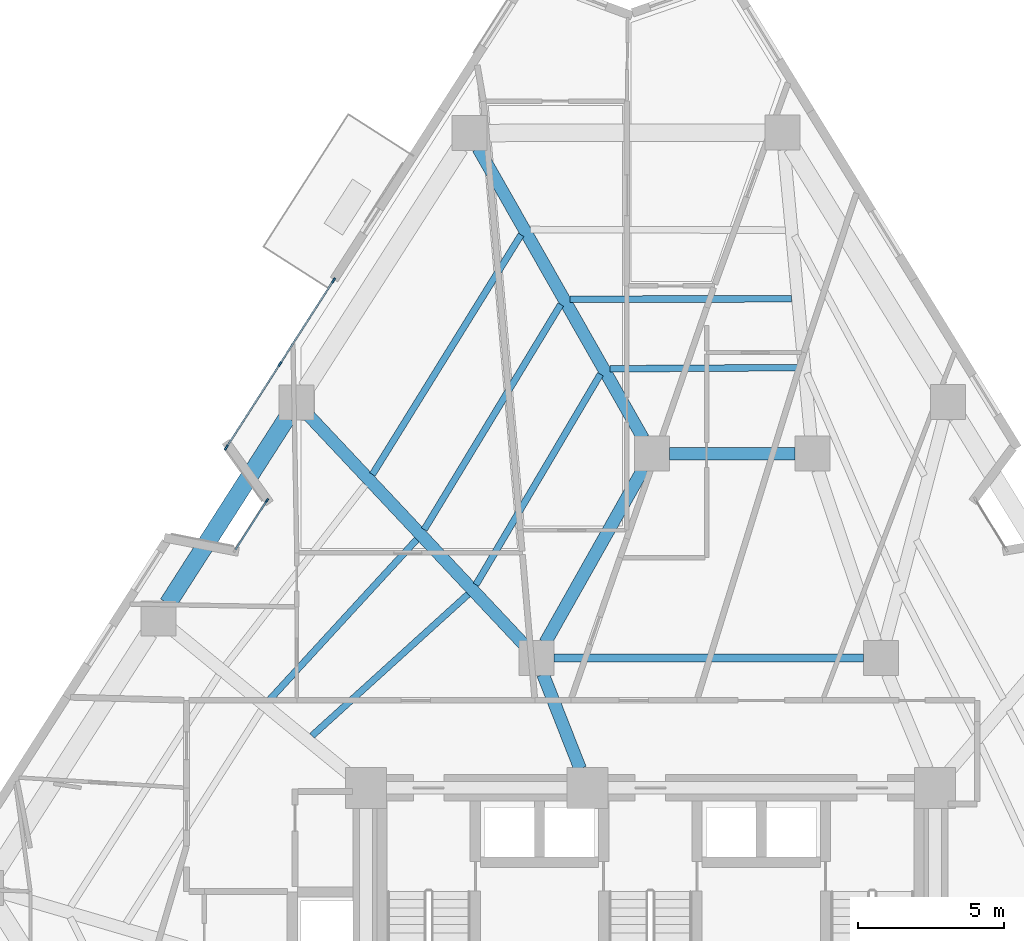
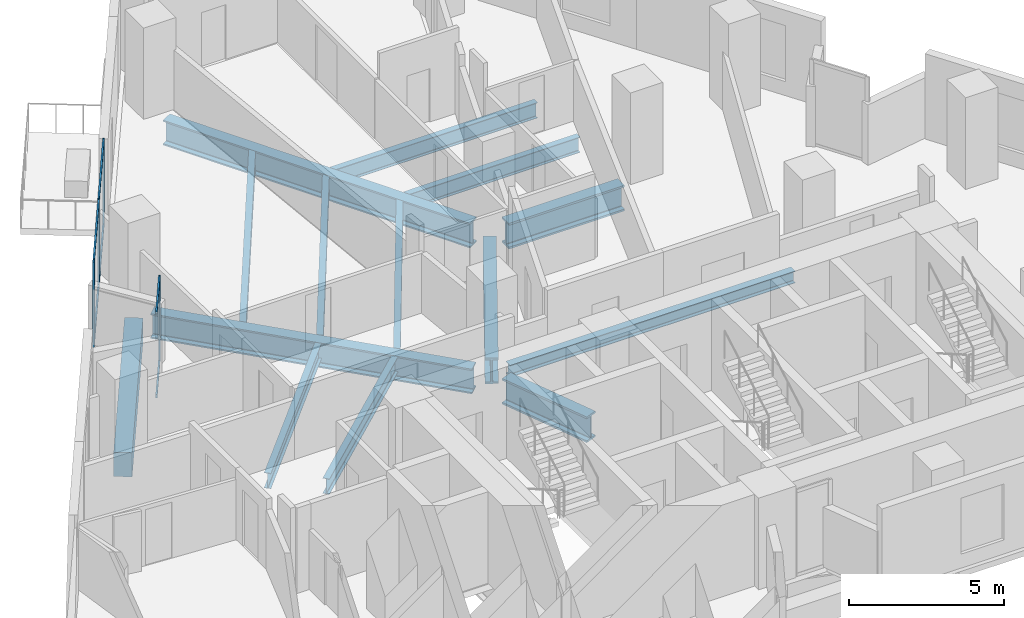
# One storey, part 3 of 13: 14 beams, 10 members, 2 elements without a shape of their own.
"""IFC4 building model written with IfcOpenShell, lengths in metres."""

import ifcopenshell
import ifcopenshell.guid

model = None  # the IFC model being written
_history = None  # IfcOwnerHistory: only IFC2X3 demands one
_inside = {}  # id of a spatial element -> (the spatial element, [elements in it])
_under = {}  # id of a project, library or spatial element -> (it, [spatial elements below it])
_declared = {}  # id of a project -> (the project, [libraries it declares])
_typed = {}  # id of a type object -> (the type object, [elements of that type])
_made_of = {}  # id of a material, layer set ... -> (it, [elements and type objects made of it])


def new_model(schema):
    """Start an empty IFC model of exactly this schema.

    Asked for "IFC4X3", IfcOpenShell would pick the latest addendum, in which some entities
    have other attributes; the version numbers below select the first issue.
    IFC2X3 requires an IfcOwnerHistory on every rooted entity: one is made here for all.
    """
    global model, _history
    if schema == "IFC4X3":
        model = ifcopenshell.file(schema_version=(4, 3, 0, 0))
    else:
        model = ifcopenshell.file(schema=schema)
    _inside.clear()
    _under.clear()
    _declared.clear()
    _typed.clear()
    _made_of.clear()
    _history = None
    if model.schema == "IFC2X3":
        org = make("IfcOrganization", Name="unknown")
        user = make(
            "IfcPersonAndOrganization",
            ThePerson=make("IfcPerson", FamilyName="unknown"),
            TheOrganization=org,
        )
        app = make(
            "IfcApplication",
            ApplicationDeveloper=org,
            Version="unknown",
            ApplicationFullName="unknown",
            ApplicationIdentifier="unknown",
        )
        _history = make(
            "IfcOwnerHistory",
            OwningUser=user,
            OwningApplication=app,
            ChangeAction="ADDED",
            CreationDate=0,
        )
    return model


def make(cls, **values):
    """One entity of the class cls with the attributes given. An attribute that is None is left unset."""
    return model.create_entity(
        cls, **{name: value for name, value in values.items() if value is not None}
    )


def rooted(cls, **values):
    """An entity with a GlobalId (a new one), such as an element, a storey or a relation."""
    return make(cls, GlobalId=ifcopenshell.guid.new(), OwnerHistory=_history, **values)


def si_unit(unit_type, name, prefix=None):
    """IfcSIUnit, for example si_unit("LENGTHUNIT", "METRE", prefix="MILLI")."""
    return make("IfcSIUnit", UnitType=unit_type, Prefix=prefix, Name=name)


def assignment(units):
    """IfcUnitAssignment: the units of a project."""
    return None if units is None else make("IfcUnitAssignment", Units=units)


def point(xyz):
    """IfcCartesianPoint."""
    return None if xyz is None else make("IfcCartesianPoint", Coordinates=xyz)


def direction(xyz):
    """IfcDirection."""
    return None if xyz is None else make("IfcDirection", DirectionRatios=xyz)


def frame(location, z_axis=None, x_axis=None):
    """IfcAxis2Placement3D, a coordinate frame: its origin and axes. An axis left out is left unset."""
    return make(
        "IfcAxis2Placement3D",
        Location=point(location),
        Axis=direction(z_axis),
        RefDirection=direction(x_axis),
    )


def frame_2d(location, x_axis=None):
    """IfcAxis2Placement2D, a coordinate frame in the plane: its origin and x axis."""
    return make(
        "IfcAxis2Placement2D", Location=point(location), RefDirection=direction(x_axis)
    )


def origin():
    """The frame at (0, 0, 0) with its axes left unset."""
    return frame((0.0, 0.0, 0.0))


def origin_2d():
    """The frame at (0, 0) in the plane with its x axis left unset."""
    return frame_2d((0.0, 0.0))


def place(relative_to, where):
    """IfcLocalPlacement: puts the frame where relative to a parent placement (None: the world)."""
    return make(
        "IfcLocalPlacement", PlacementRelTo=relative_to, RelativePlacement=where
    )


def context(
    kind, dimensions, precision=None, world=None, true_north=None, identifier=None
):
    """IfcGeometricRepresentationContext, for example the 3D "Model" context."""
    return make(
        "IfcGeometricRepresentationContext",
        ContextIdentifier=identifier,
        ContextType=kind,
        CoordinateSpaceDimension=dimensions,
        Precision=precision,
        WorldCoordinateSystem=world,
        TrueNorth=true_north,
    )


def subcontext(parent, identifier, kind, view, scale=None):
    """IfcGeometricRepresentationSubContext, for example "Body" below "Model"."""
    return make(
        "IfcGeometricRepresentationSubContext",
        ContextIdentifier=identifier,
        ContextType=kind,
        ParentContext=parent,
        TargetScale=scale,
        TargetView=view,
    )


def project(units=None, contexts=None):
    """IfcProject with its units and contexts."""
    return rooted(
        "IfcProject",
        Name="project",
        RepresentationContexts=contexts,
        UnitsInContext=assignment(units),
    )


def spatial(cls, under=None, at=None, **own):
    """A site, building, storey or space (cls), placed at a placement, below another one or the project."""
    s = rooted(cls, ObjectPlacement=at, **own)
    if under is not None:
        _under.setdefault(under.id(), (under, []))[1].append(s)
    return s


def profile(cls, at=None, kind="AREA", **sizes):
    """A parametric profile (cls). Its sizes go by their IFC names, for example OverallWidth=200.0."""
    return make(cls, ProfileType=kind, Position=at, **sizes)


def rectangle(**sizes):
    """IfcRectangleProfileDef."""
    return profile("IfcRectangleProfileDef", **sizes)


def i_section(**sizes):
    """IfcIShapeProfileDef."""
    return profile("IfcIShapeProfileDef", **sizes)


def extrude(swept, where, along, depth):
    """IfcExtrudedAreaSolid: the profile swept, set in the frame where, extruded along a direction by depth."""
    return make(
        "IfcExtrudedAreaSolid",
        SweptArea=swept,
        Position=where,
        ExtrudedDirection=direction(along),
        Depth=depth,
    )


def shape(context_of_items, identifier, shape_type, items):
    """IfcShapeRepresentation: the items that make up one representation, for example the "Body"."""
    return make(
        "IfcShapeRepresentation",
        ContextOfItems=context_of_items,
        RepresentationIdentifier=identifier,
        RepresentationType=shape_type,
        Items=items,
    )


def material(Name=None, Category=None):
    """IfcMaterial."""
    return make("IfcMaterial", Name=Name, Category=Category)


def layer(
    of_material, thickness, ventilated=None, Name=None, Category=None, Priority=None
):
    """IfcMaterialLayer: one layer of a wall or slab, of a material (None: an air gap)."""
    return make(
        "IfcMaterialLayer",
        Material=of_material,
        LayerThickness=thickness,
        IsVentilated=ventilated,
        Name=Name,
        Category=Category,
        Priority=Priority,
    )


def layer_set(layers, Name=None):
    """IfcMaterialLayerSet."""
    return make("IfcMaterialLayerSet", MaterialLayers=layers, LayerSetName=Name)


def material_profile(
    of_material, cross_section, Name=None, Category=None, Priority=None
):
    """IfcMaterialProfile: a cross section and its material."""
    return make(
        "IfcMaterialProfile",
        Name=Name,
        Material=of_material,
        Profile=cross_section,
        Priority=Priority,
        Category=Category,
    )


def profile_set(profiles, Name=None, composite=None):
    """IfcMaterialProfileSet."""
    return make(
        "IfcMaterialProfileSet",
        Name=Name,
        MaterialProfiles=profiles,
        CompositeProfile=composite,
    )


def made_of(thing, what):
    """Note that an element or type object is made of a material, layer set ...; save() writes the relation."""
    if what is not None:
        _made_of.setdefault(what.id(), (what, []))[1].append(thing)
    return thing


def type_object(cls, material=None, **own):
    """A type object (cls), such as IfcWallType, which elements share."""
    return made_of(rooted(cls, **own), material)


def element(
    cls,
    number,
    at=None,
    inside=None,
    cuts=None,
    type_object=None,
    material=None,
    context=None,
    identifier="Body",
    shape_type=None,
    held_by="IfcProductDefinitionShape",
    body=None,
    shapes=None,
    **own,
):
    """One element of the class cls, such as IfcWall. Its Tag is "e" and its number.

    at: its placement. inside: the storey or other place that contains it. cuts: it is an
    opening in that element (IfcRelVoidsElement). A single representation is given by context,
    identifier, shape_type and body (its items); several are given by shapes. held_by: the class
    of the entity that holds the representations. save() writes the other relations.
    """
    e = rooted(cls, Tag="e%d" % number, ObjectPlacement=at, **own)
    if body is not None:
        shapes = [shape(context, identifier, shape_type, body)]
    if shapes is not None:
        e.Representation = make(held_by, Representations=shapes)
    if inside is not None:
        _inside.setdefault(inside.id(), (inside, []))[1].append(e)
    if cuts is not None:
        rooted(
            "IfcRelVoidsElement", RelatingBuildingElement=cuts, RelatedOpeningElement=e
        )
    if type_object is not None:
        _typed.setdefault(type_object.id(), (type_object, []))[1].append(e)
    return made_of(e, material)


def aggregate(whole, parts):
    """IfcRelAggregates: a whole, such as a stair, and the parts it consists of."""
    return rooted("IfcRelAggregates", RelatingObject=whole, RelatedObjects=parts)


def save(model, path):
    """Write the relations noted so far, then the file.

    IfcRelAggregates (storeys below a building ...), IfcRelContainedInSpatialStructure (elements
    in a storey), IfcRelDefinesByType, IfcRelAssociatesMaterial and IfcRelDeclares: one each for
    every whole, place, type object, material and project.
    """
    for whole, parts in _under.values():
        aggregate(whole, parts)
    for where, things in _inside.values():
        rooted(
            "IfcRelContainedInSpatialStructure",
            RelatedElements=things,
            RelatingStructure=where,
        )
    for kind, things in _typed.values():
        rooted("IfcRelDefinesByType", RelatedObjects=things, RelatingType=kind)
    for what, things in _made_of.values():
        rooted("IfcRelAssociatesMaterial", RelatedObjects=things, RelatingMaterial=what)
    for by, libraries in _declared.values():
        rooted("IfcRelDeclares", RelatingContext=by, RelatedDefinitions=libraries)
    model.write(path)


model = new_model("IFC4")

# Units and contexts
model_context = context("Model", 3, precision=1e-05, world=origin(), true_north=direction((0.0, 1.0)))
body_context = subcontext(model_context, "Body", "Model", "MODEL_VIEW")
ifc_project = project(units=[si_unit("LENGTHUNIT", "METRE"), si_unit("AREAUNIT", "SQUARE_METRE"), si_unit("VOLUMEUNIT", "CUBIC_METRE"), si_unit("PLANEANGLEUNIT", "RADIAN"), si_unit("MASSUNIT", "GRAM", prefix="KILO")], contexts=[model_context])

# Site, building, storey
site_placement = place(None, origin())
site = spatial("IfcSite", under=ifc_project, at=site_placement, CompositionType="ELEMENT")
building_placement = place(site_placement, origin())
building = spatial("IfcBuilding", under=site, at=building_placement, Name="Almagre Mirador Tower", CompositionType="ELEMENT")
storey_placement = place(building_placement, frame((0.0, 0.0, 89.39990234375)))
storey = spatial("IfcBuildingStorey", under=building, at=storey_placement, Name="L22", CompositionType="ELEMENT", Elevation=89.39990234375)

# Beams
ifc_material_1 = material(Name="Steel ASTM A992 Grade 50", Category="steel")
ifc_material_profile_1 = material_profile(ifc_material_1, i_section(OverallWidth=0.281982421875, OverallDepth=0.467041015625, WebThickness=0.01220703125, FlangeThickness=0.01953125, FilletRadius=0.01611328125, at=origin_2d()), Name="W18X86")
ifc_profile_set_1 = profile_set([ifc_material_profile_1], Name="Steel ASTM A992 Grade 50")
beam_type_1 = type_object("IfcBeamType", Name="BM-BAL-W18X86", PredefinedType="JOIST", material=ifc_profile_set_1)
beam_1_placement = place(storey_placement, frame((34.0, 19.199951171875, -0.4833984375), z_axis=(1.0, 0.0, 0.0), x_axis=(0.0, 1.0, 0.0)))
element("IfcBeam", 1, at=beam_1_placement, inside=storey, type_object=beam_type_1, Name="L22 secondary header beam BB-01", PredefinedType="JOIST", context=body_context, shape_type="SweptSolid", body=[
    extrude(i_section(OverallWidth=0.281982421875, OverallDepth=0.467041015625, WebThickness=0.01220703125, FlangeThickness=0.01953125, FilletRadius=0.01611328125, at=origin_2d()), origin(), (0.0, 0.0, 1.0), 10.60009765625),
])
ifc_material_2 = material(Name="Steel ASTM A992 Grade 50", Category="steel")
ifc_material_profile_2 = material_profile(ifc_material_2, i_section(OverallWidth=0.22802734375, OverallDepth=0.60791015625, WebThickness=0.01123046875, FlangeThickness=0.017333984375, FilletRadius=0.02001953125, at=origin_2d()), Name="W24X76")
ifc_profile_set_2 = profile_set([ifc_material_profile_2], Name="Steel ASTM A992 Grade 50")
beam_type_2 = type_object("IfcBeamType", Name="BM-JST-W24X76", PredefinedType="JOIST", material=ifc_profile_set_2)
beam_2_placement = place(storey_placement, frame((42.142333984375, 31.50732421875, -0.553955078125), z_axis=(-0.999998857543, -0.001511592523, 0.0), x_axis=(0.001511592523, -0.999998857543, 0.0)))
element("IfcBeam", 2, at=beam_2_placement, inside=storey, type_object=beam_type_2, Name="L22 secondary floor joist PC08-PC09.2", PredefinedType="JOIST", context=body_context, shape_type="SweptSolid", body=[
    extrude(i_section(OverallWidth=0.22802734375, OverallDepth=0.60791015625, WebThickness=0.01123046875, FlangeThickness=0.017333984375, FilletRadius=0.02001953125, at=origin_2d()), origin(), (0.0, 0.0, 1.0), 7.591064453125),
])
beam_3_placement = place(storey_placement, frame((42.361328125, 29.151123046875, -0.553955078125), z_axis=(-0.999979554323, -0.006394602114, 0.0), x_axis=(0.006394602114, -0.999979554323, 0.0)))
element("IfcBeam", 3, at=beam_3_placement, inside=storey, type_object=beam_type_2, Name="L22 secondary floor joist PC08-PC09.3", PredefinedType="JOIST", context=body_context, shape_type="SweptSolid", body=[
    extrude(i_section(OverallWidth=0.22802734375, OverallDepth=0.60791015625, WebThickness=0.01123046875, FlangeThickness=0.017333984375, FilletRadius=0.02001953125, at=origin_2d()), origin(), (0.0, 0.0, 1.0), 6.452392578125),
])
beam_4_placement = place(storey_placement, frame((32.8662109375, 33.70068359375, -0.553955078125), z_axis=(-0.527025078824, -0.849849731594, 0.0), x_axis=(0.849849731594, -0.527025078824, 0.0)))
element("IfcBeam", 4, at=beam_4_placement, inside=storey, type_object=beam_type_2, Name="L22 secondary floor joist PC09-PC10.1", PredefinedType="JOIST", context=body_context, shape_type="SweptSolid", body=[
    extrude(i_section(OverallWidth=0.22802734375, OverallDepth=0.60791015625, WebThickness=0.01123046875, FlangeThickness=0.017333984375, FilletRadius=0.02001953125, at=origin_2d()), origin(), (0.0, 0.0, 1.0), 9.662841796875),
])
beam_5_placement = place(storey_placement, frame((34.226318359375, 31.3125, -0.553955078125), z_axis=(-0.51862919068, -0.854999276359, 0.0), x_axis=(0.854999276359, -0.51862919068, 0.0)))
element("IfcBeam", 5, at=beam_5_placement, inside=storey, type_object=beam_type_2, Name="L22 secondary floor joist PC09-PC10.2", PredefinedType="JOIST", context=body_context, shape_type="SweptSolid", body=[
    extrude(i_section(OverallWidth=0.22802734375, OverallDepth=0.60791015625, WebThickness=0.01123046875, FlangeThickness=0.017333984375, FilletRadius=0.02001953125, at=origin_2d()), origin(), (0.0, 0.0, 1.0), 9.020263671875),
])
beam_6_placement = place(storey_placement, frame((35.586181640625, 28.92431640625, -0.553955078125), z_axis=(-0.508893233188, -0.860829644712, 0.0), x_axis=(0.860829644712, -0.508893233188, 0.0)))
element("IfcBeam", 6, at=beam_6_placement, inside=storey, type_object=beam_type_2, Name="L22 secondary floor joist PC09-PC10.3", PredefinedType="JOIST", context=body_context, shape_type="SweptSolid", body=[
    extrude(i_section(OverallWidth=0.22802734375, OverallDepth=0.60791015625, WebThickness=0.01123046875, FlangeThickness=0.017333984375, FilletRadius=0.02001953125, at=origin_2d()), origin(), (0.0, 0.0, 1.0), 8.37939453125),
])
beam_7_placement = place(storey_placement, frame((29.292236328125, 23.259521484375, -0.553955078125), z_axis=(-0.676538846578, -0.73640694529, 0.0), x_axis=(0.73640694529, -0.676538846578, 0.0)))
element("IfcBeam", 7, at=beam_7_placement, inside=storey, type_object=beam_type_2, Name="L22 secondary floor joist PC10-PC11.2", PredefinedType="JOIST", context=body_context, shape_type="SweptSolid", body=[
    extrude(i_section(OverallWidth=0.22802734375, OverallDepth=0.60791015625, WebThickness=0.01123046875, FlangeThickness=0.017333984375, FilletRadius=0.02001953125, at=origin_2d()), origin(), (0.0, 0.0, 1.0), 7.4912109375),
])
beam_8_placement = place(storey_placement, frame((31.054443359375, 21.38330078125, -0.553955078125), z_axis=(-0.7409990396, -0.671506085834, 0.0), x_axis=(0.671506085834, -0.7409990396, 0.0)))
element("IfcBeam", 8, at=beam_8_placement, inside=storey, type_object=beam_type_2, Name="L22 secondary floor joist PC10-PC11.3", PredefinedType="JOIST", context=body_context, shape_type="SweptSolid", body=[
    extrude(i_section(OverallWidth=0.22802734375, OverallDepth=0.60791015625, WebThickness=0.01123046875, FlangeThickness=0.017333984375, FilletRadius=0.02001953125, at=origin_2d()), origin(), (0.0, 0.0, 1.0), 7.22314453125),
])
ifc_material_3 = material(Name="Precast concrete C50/60", Category="concrete")
ifc_material_profile_3 = material_profile(ifc_material_3, rectangle(XDim=0.60009765625, YDim=0.949951171875, at=origin_2d()), Name="RC600X950")
ifc_profile_set_3 = profile_set([ifc_material_profile_3], Name="Precast concrete C50/60")
beam_type_3 = type_object("IfcBeamType", Name="BM-SPN-RC600X950", PredefinedType="SPANDREL", material=ifc_profile_set_3)
beam_9_placement = place(storey_placement, frame((24.854248046875, 27.44384765625, -0.724853515625), z_axis=(-0.539465888447, -0.84200745555, 0.0), x_axis=(0.84200745555, -0.539465888447, 0.0)))
element("IfcBeam", 9, at=beam_9_placement, inside=storey, type_object=beam_type_3, Name="L22 perimeter spandrel beam PC10-PC11", PredefinedType="SPANDREL", context=body_context, shape_type="SweptSolid", body=[
    extrude(rectangle(XDim=0.60009765625, YDim=0.949951171875, at=origin_2d()), origin(), (0.0, 0.0, 1.0), 7.5791015625),
])
ifc_material_4 = material(Name="Steel ASTM A992 Grade 50", Category="steel")
ifc_material_profile_4 = material_profile(ifc_material_4, i_section(OverallWidth=0.427978515625, OverallDepth=0.97509765625, WebThickness=0.031005859375, FlangeThickness=0.055908203125, FilletRadius=0.028076171875, at=origin_2d()), Name="W36X395")
ifc_profile_set_4 = profile_set([ifc_material_profile_4], Name="Steel ASTM A992 Grade 50")
beam_type_4 = type_object("IfcBeamType", Name="BM-STL-W36X395", PredefinedType="BEAM", material=ifc_profile_set_4)
beam_10_placement = place(storey_placement, frame((31.394775390625, 36.66748046875, -0.7373046875), z_axis=(0.494490623946, -0.869182962805, 0.0), x_axis=(0.869182962805, 0.494490623946, 0.0)))
element("IfcBeam", 10, at=beam_10_placement, inside=storey, type_object=beam_type_4, Name="L22 radial floor girder PC09-MC7", PredefinedType="BEAM", context=body_context, shape_type="SweptSolid", body=[
    extrude(i_section(OverallWidth=0.427978515625, OverallDepth=0.97509765625, WebThickness=0.031005859375, FlangeThickness=0.055908203125, FilletRadius=0.028076171875, at=origin_2d()), origin(), (0.0, 0.0, 1.0), 11.44287109375),
])
beam_11_placement = place(storey_placement, frame((25.5888671875, 27.51171875, -0.7373046875), z_axis=(0.684816925133, -0.728715156321, 0.0), x_axis=(0.728715156321, 0.684816925133, 0.0)))
element("IfcBeam", 11, at=beam_11_placement, inside=storey, type_object=beam_type_4, Name="L22 radial floor girder PC10-MC8", PredefinedType="BEAM", context=body_context, shape_type="SweptSolid", body=[
    extrude(i_section(OverallWidth=0.427978515625, OverallDepth=0.97509765625, WebThickness=0.031005859375, FlangeThickness=0.055908203125, FilletRadius=0.028076171875, at=origin_2d()), origin(), (0.0, 0.0, 1.0), 10.805908203125),
])
ifc_material_5 = material(Name="Steel ASTM A992 Grade 50", Category="steel")
ifc_material_profile_5 = material_profile(ifc_material_5, i_section(OverallWidth=0.43701171875, OverallDepth=1.010986328125, WebThickness=0.041015625, FlangeThickness=0.073974609375, FilletRadius=0.028076171875, at=origin_2d()), Name="W36X529")
ifc_profile_set_5 = profile_set([ifc_material_profile_5], Name="Steel ASTM A992 Grade 50")
beam_type_5 = type_object("IfcBeamType", Name="BM-STL-W36X529", PredefinedType="BEAM", material=ifc_profile_set_5)
beam_12_placement = place(storey_placement, frame((37.949951171875, 26.199951171875, -0.75537109375), z_axis=(1.0, 0.0, 0.0), x_axis=(0.0, 1.0, 0.0)))
element("IfcBeam", 12, at=beam_12_placement, inside=storey, type_object=beam_type_5, Name="L22 core tie girder MC7-MC6", PredefinedType="BEAM", context=body_context, shape_type="SweptSolid", body=[
    extrude(i_section(OverallWidth=0.43701171875, OverallDepth=1.010986328125, WebThickness=0.041015625, FlangeThickness=0.073974609375, FilletRadius=0.028076171875, at=origin_2d()), origin(), (0.0, 0.0, 1.0), 4.300048828125),
])
beam_13_placement = place(storey_placement, frame((37.05517578125, 25.677490234375, -0.75537109375), z_axis=(-0.491440637516, -0.870911074564, 0.0), x_axis=(0.870911074564, -0.491440637516, 0.0)))
element("IfcBeam", 13, at=beam_13_placement, inside=storey, type_object=beam_type_5, Name="L22 core tie girder MC7-MC8", PredefinedType="BEAM", context=body_context, shape_type="SweptSolid", body=[
    extrude(i_section(OverallWidth=0.43701171875, OverallDepth=1.010986328125, WebThickness=0.041015625, FlangeThickness=0.073974609375, FilletRadius=0.028076171875, at=origin_2d()), origin(), (0.0, 0.0, 1.0), 6.837646484375),
])
beam_14_placement = place(storey_placement, frame((33.61962890625, 18.6416015625, -0.75537109375), z_axis=(0.365956076985, -0.93063212373, 0.0), x_axis=(0.93063212373, 0.365956076985, 0.0)))
element("IfcBeam", 14, at=beam_14_placement, inside=storey, type_object=beam_type_5, Name="L22 core tie girder MC8-CC5", PredefinedType="BEAM", context=body_context, shape_type="SweptSolid", body=[
    extrude(i_section(OverallWidth=0.43701171875, OverallDepth=1.010986328125, WebThickness=0.041015625, FlangeThickness=0.073974609375, FilletRadius=0.028076171875, at=origin_2d()), origin(), (0.0, 0.0, 1.0), 3.481689453125),
])

# Curtain wall, member
ifc_material_6 = material(Name="Black anodized aluminium", Category="aluminium")
ifc_layer_1 = layer(ifc_material_6, 0.169921875)
ifc_layer_set_1 = layer_set([ifc_layer_1], Name="Black anodized aluminium")
curtain_wall_type_1 = type_object("IfcCurtainWallType", Name="CW-CRS-SYS", PredefinedType="NOTDEFINED", material=ifc_layer_set_1)
curtain_wall_1_placement = place(storey_placement, origin())
curtain_wall_1 = element("IfcCurtainWall", 15, at=curtain_wall_1_placement, inside=storey, type_object=curtain_wall_type_1, Name="L22 vertical crease curtain wall 01", PredefinedType="NOTDEFINED")
ifc_material_7 = material(Name="Black anodized aluminium", Category="aluminium")
ifc_material_profile_6 = material_profile(ifc_material_7, rectangle(XDim=0.06005859375, YDim=0.14990234375, at=origin_2d()), Name="CWM60X150")
ifc_profile_set_6 = profile_set([ifc_material_profile_6], Name="Black anodized aluminium")
member_type_1 = type_object("IfcMemberType", Name="MBR-CWM60X150", PredefinedType="MULLION", material=ifc_profile_set_6)
member_1_placement = place(storey_placement, frame((24.15771484375, 24.5947265625, 0.0), z_axis=(0.0, 0.0, 1.0), x_axis=(-0.842141027103, 0.539257350873, 0.0)))
member_1 = element("IfcMember", 16, at=member_1_placement, type_object=member_type_1, Name="CW-4 mullion 2", PredefinedType="MULLION", context=body_context, shape_type="SweptSolid", body=[
    extrude(rectangle(XDim=0.06005859375, YDim=0.14990234375, at=origin_2d()), origin(), (0.0, 0.0, 1.0), 3.35009765625),
])

# Curtain wall, members
ifc_material_8 = material(Name="Black anodized aluminium", Category="aluminium")
ifc_layer_2 = layer(ifc_material_8, 0.18994140625)
ifc_layer_set_2 = layer_set([ifc_layer_2], Name="Black anodized aluminium")
curtain_wall_type_2 = type_object("IfcCurtainWallType", Name="CW-RES-L-SYS", PredefinedType="NOTDEFINED", material=ifc_layer_set_2)
curtain_wall_2_placement = place(storey_placement, origin())
curtain_wall_2 = element("IfcCurtainWall", 17, at=curtain_wall_2_placement, inside=storey, type_object=curtain_wall_type_2, Name="L22 curtain wall run 02", PredefinedType="NOTDEFINED")
ifc_material_9 = material(Name="Black anodized aluminium", Category="aluminium")
ifc_material_profile_7 = material_profile(ifc_material_9, rectangle(XDim=0.06494140625, YDim=0.179931640625, at=origin_2d()), Name="CWM65X180")
ifc_profile_set_7 = profile_set([ifc_material_profile_7], Name="Black anodized aluminium")
member_type_2 = type_object("IfcMemberType", Name="MBR-CWM65X180", PredefinedType="MULLION", material=ifc_profile_set_7)
member_2_placement = place(storey_placement, frame((22.76708984375, 26.409423828125, 0.0), z_axis=(0.0, 0.0, 1.0), x_axis=(-0.842005417993, 0.539469068688, 0.0)))
member_2 = element("IfcMember", 18, at=member_2_placement, type_object=member_type_2, Name="CW-2 mullion 1", PredefinedType="MULLION", context=body_context, shape_type="SweptSolid", body=[
    extrude(rectangle(XDim=0.06494140625, YDim=0.179931640625, at=origin_2d()), origin(), (0.0, 0.0, 1.0), 3.35009765625),
])
member_3_placement = place(storey_placement, frame((24.60302734375, 29.275146484375, 0.0), z_axis=(0.0, 0.0, 1.0), x_axis=(-0.842005417993, 0.539469068688, 0.0)))
member_3 = element("IfcMember", 19, at=member_3_placement, type_object=member_type_2, Name="CW-2 mullion 2", PredefinedType="MULLION", context=body_context, shape_type="SweptSolid", body=[
    extrude(rectangle(XDim=0.06494140625, YDim=0.179931640625, at=origin_2d()), origin(), (0.0, 0.0, 1.0), 3.35009765625),
])
member_4_placement = place(storey_placement, frame((26.43896484375, 32.140625, 0.0), z_axis=(0.0, 0.0, 1.0), x_axis=(-0.842005417993, 0.539469068688, 0.0)))
member_4 = element("IfcMember", 20, at=member_4_placement, type_object=member_type_2, Name="CW-2 mullion 3", PredefinedType="MULLION", context=body_context, shape_type="SweptSolid", body=[
    extrude(rectangle(XDim=0.06494140625, YDim=0.179931640625, at=origin_2d()), origin(), (0.0, 0.0, 1.0), 3.35009765625),
])

# Member
ifc_material_10 = material(Name="Black anodized aluminium", Category="aluminium")
ifc_material_profile_8 = material_profile(ifc_material_10, rectangle(XDim=0.06005859375, YDim=0.1298828125, at=origin_2d()), Name="CWT60X130")
ifc_profile_set_8 = profile_set([ifc_material_profile_8], Name="Black anodized aluminium")
member_type_3 = type_object("IfcMemberType", Name="MBR-CWT60X130", PredefinedType="USERDEFINED", material=ifc_profile_set_8)
member_5_placement = place(storey_placement, frame((23.079345703125, 22.91064453125, 0.030029296875), z_axis=(0.539247112967, 0.842147582765, 0.0), x_axis=(-0.842147582765, 0.539247112967, 0.0)))
member_5 = element("IfcMember", 21, at=member_5_placement, type_object=member_type_3, Name="CW-4 transom 1.1", ObjectType="TRANSOM", PredefinedType="USERDEFINED", context=body_context, shape_type="SweptSolid", body=[
    extrude(rectangle(XDim=0.06005859375, YDim=0.1298828125, at=origin_2d()), origin(), (0.0, 0.0, 1.0), 1.969970703125),
])

member_6_placement = place(storey_placement, frame((23.079345703125, 22.91064453125, 3.320068359375), z_axis=(0.539247112967, 0.842147582765, 0.0), x_axis=(-0.842147582765, 0.539247112967, 0.0)))
member_6 = element("IfcMember", 22, at=member_6_placement, type_object=member_type_3, Name="CW-4 transom 1.2", ObjectType="TRANSOM", PredefinedType="USERDEFINED", context=body_context, shape_type="SweptSolid", body=[
    extrude(rectangle(XDim=0.06005859375, YDim=0.1298828125, at=origin_2d()), origin(), (0.0, 0.0, 1.0), 1.969970703125),
])

aggregate(curtain_wall_1, [member_1, member_5, member_6])

member_7_placement = place(storey_placement, frame((22.78466796875, 26.436767578125, 0.030029296875), z_axis=(0.539418888832, 0.842037565891, 0.0), x_axis=(-0.842037565891, 0.539418888832, 0.0)))
member_7 = element("IfcMember", 23, at=member_7_placement, type_object=member_type_3, Name="CW-2 transom 1.1", ObjectType="TRANSOM", PredefinedType="USERDEFINED", context=body_context, shape_type="SweptSolid", body=[
    extrude(rectangle(XDim=0.06005859375, YDim=0.1298828125, at=origin_2d()), origin(), (0.0, 0.0, 1.0), 3.33837890625),
])

member_8_placement = place(storey_placement, frame((22.78466796875, 26.436767578125, 3.320068359375), z_axis=(0.539418888832, 0.842037565891, 0.0), x_axis=(-0.842037565891, 0.539418888832, 0.0)))
member_8 = element("IfcMember", 24, at=member_8_placement, type_object=member_type_3, Name="CW-2 transom 1.2", ObjectType="TRANSOM", PredefinedType="USERDEFINED", context=body_context, shape_type="SweptSolid", body=[
    extrude(rectangle(XDim=0.06005859375, YDim=0.1298828125, at=origin_2d()), origin(), (0.0, 0.0, 1.0), 3.33837890625),
])

member_9_placement = place(storey_placement, frame((24.62060546875, 29.302490234375, 0.030029296875), z_axis=(0.539452107645, 0.842016284615, 0.0), x_axis=(-0.842016284615, 0.539452107645, 0.0)))
member_9 = element("IfcMember", 25, at=member_9_placement, type_object=member_type_3, Name="CW-2 transom 2.1", ObjectType="TRANSOM", PredefinedType="USERDEFINED", context=body_context, shape_type="SweptSolid", body=[
    extrude(rectangle(XDim=0.06005859375, YDim=0.1298828125, at=origin_2d()), origin(), (0.0, 0.0, 1.0), 3.338134765625),
])

member_10_placement = place(storey_placement, frame((24.62060546875, 29.302490234375, 3.320068359375), z_axis=(0.539452107645, 0.842016284615, 0.0), x_axis=(-0.842016284615, 0.539452107645, 0.0)))
member_10 = element("IfcMember", 26, at=member_10_placement, type_object=member_type_3, Name="CW-2 transom 2.2", ObjectType="TRANSOM", PredefinedType="USERDEFINED", context=body_context, shape_type="SweptSolid", body=[
    extrude(rectangle(XDim=0.06005859375, YDim=0.1298828125, at=origin_2d()), origin(), (0.0, 0.0, 1.0), 3.338134765625),
])

aggregate(curtain_wall_2, [member_2, member_3, member_4, member_7, member_8, member_9, member_10])

save(model, "model.ifc")
